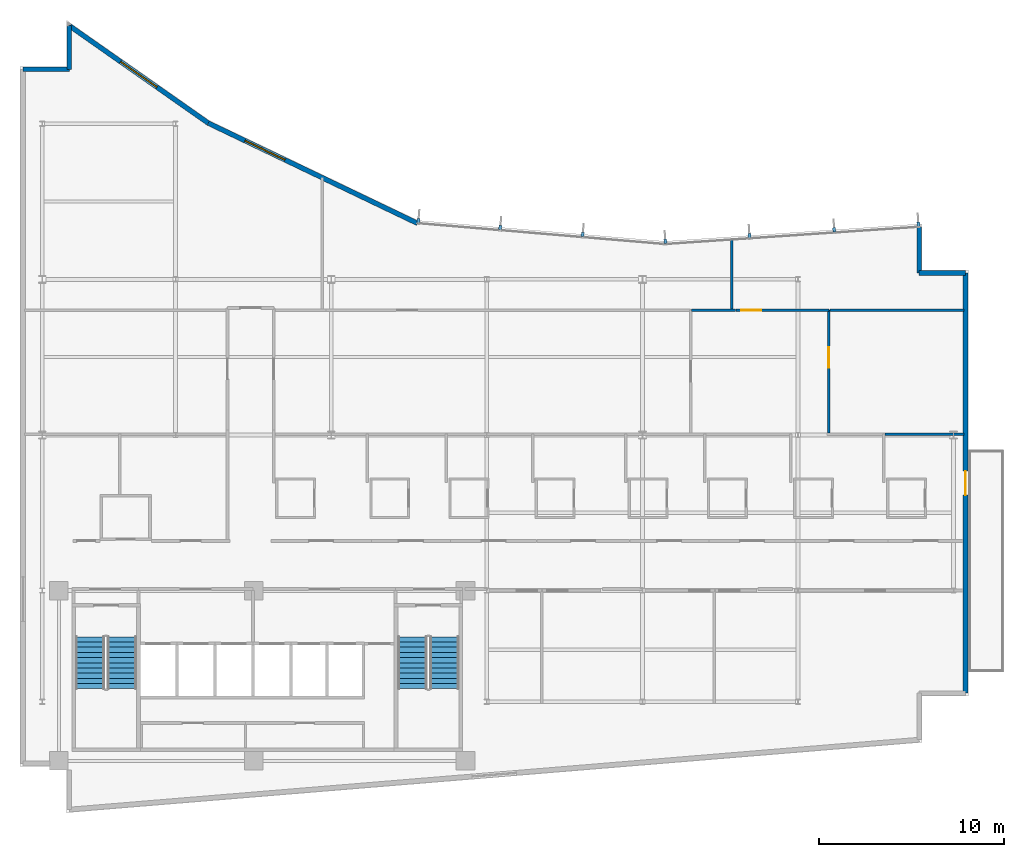
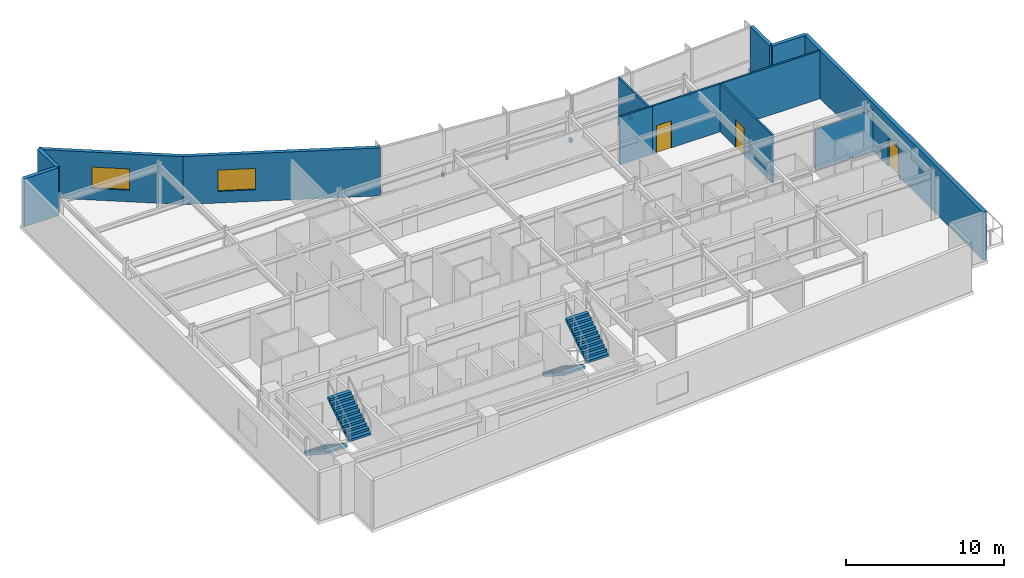
# One storey, part 12 of 15: 13 walls, 7 discrete accessories, 4 stair flights, 3 doors, 2 windows, 5 openings, 2 elements without a shape of their own.
"""IFC4 building model written with IfcOpenShell, lengths in metres."""

from ifc_helpers import new_model, si_unit, direction, frame, frame_2d, origin, origin_2d, place, context, subcontext, project, spatial, polyline, rectangle, outline, extrude, material, layer, layer_set, type_object, element, fill, aggregate, save


model = new_model("IFC4")

# Units and contexts
model_context = context("Model", 3, precision=1e-05, world=origin(), true_north=direction((0.0, 1.0)))
body_context = subcontext(model_context, "Body", "Model", "MODEL_VIEW")
ifc_project = project(units=[si_unit("LENGTHUNIT", "METRE"), si_unit("AREAUNIT", "SQUARE_METRE"), si_unit("VOLUMEUNIT", "CUBIC_METRE"), si_unit("PLANEANGLEUNIT", "RADIAN"), si_unit("MASSUNIT", "GRAM", prefix="KILO")], contexts=[model_context])

# Site, building, storey
site_placement = place(None, origin())
site = spatial("IfcSite", under=ifc_project, at=site_placement, CompositionType="ELEMENT")
building_placement = place(site_placement, origin())
building = spatial("IfcBuilding", under=site, at=building_placement, Name="Varnakote Quay Hospital", CompositionType="ELEMENT")
storey_placement = place(building_placement, frame((0.0, 0.0, 192.10009765625)))
storey = spatial("IfcBuildingStorey", under=building, at=storey_placement, Name="L47", CompositionType="ELEMENT", Elevation=192.10009765625)

# Wall, opening, door
ifc_material_1 = material(Name="Precast concrete N50 (f'c 50 MPa)", Category="concrete")
ifc_layer_1 = layer(ifc_material_1, 0.260009765625)
ifc_layer_set_1 = layer_set([ifc_layer_1], Name="Precast concrete N50 (f'c 50 MPa)")
wall_type_1 = type_object("IfcWallType", Name="WL-EXT-BRICK-260", PredefinedType="STANDARD", material=ifc_layer_set_1)
wall_1_placement = place(storey_placement, frame((51.0400390625, 6.4599609375, 0.0), z_axis=(0.0, 0.0, 1.0), x_axis=(0.0, 1.0, 0.0)))
wall_1 = element("IfcWall", 1, at=wall_1_placement, inside=storey, type_object=wall_type_1, Name="L47 Healing Terrace Portal Brick Wall", PredefinedType="STANDARD", context=body_context, shape_type="SweptSolid", body=[
    extrude(rectangle(XDim=22.679931640625, YDim=0.260009765625, at=frame_2d((11.33984375, 0.0))), origin(), (0.0, 0.0, 1.0), 3.7099609375),
])
opening_1_placement = place(wall_1_placement, frame((10.68994140625, 0.0, 0.0)))
opening_1 = element("IfcOpeningElement", 2, at=opening_1_placement, cuts=wall_1, Name="Opening DT-L47", PredefinedType="OPENING", context=body_context, shape_type="SweptSolid", body=[
    extrude(rectangle(XDim=1.300048828125, YDim=2.14990234375, at=frame_2d((0.64990234375, 1.074951171875))), frame((0.0, 0.139892578125, 0.0), z_axis=(0.0, -1.0, 0.0), x_axis=(1.0, 0.0, 0.0)), (0.0, 0.0, 1.0), 0.280029296875),
])
ifc_material_2 = material(Name="Anodised aluminium glazed terrace door", Category="aluminium")
door_type_1 = type_object("IfcDoorType", Name="DR-EXT-TERR-1300x2150", OperationType="NOTDEFINED", PredefinedType="DOOR", material=ifc_material_2)
door_1_placement = place(opening_1_placement, origin())
door_1 = element("IfcDoor", 3, at=door_1_placement, inside=storey, type_object=door_type_1, Name="L47 Waterfront Healing Terrace Door", OperationType="SINGLE_SWING_RIGHT", OverallHeight=2.14990234375, OverallWidth=1.300048828125, PredefinedType="DOOR", context=body_context, shape_type="SweptSolid", body=[
    extrude(rectangle(XDim=1.300048828125, YDim=2.14990234375, at=frame_2d((0.64990234375, 1.074951171875))), frame((0.0, 0.02490234375, 0.0), z_axis=(0.0, -1.0, 0.0), x_axis=(1.0, 0.0, 0.0)), (0.0, 0.0, 1.0), 0.050048828125),
])
fill(opening_1, door_1)

# Walls
wall_2_placement = place(storey_placement, frame((51.0400390625, 29.139892578125, 0.0), z_axis=(0.0, 0.0, 1.0), x_axis=(-1.0, 0.0, 0.0)))
element("IfcWall", 4, at=wall_2_placement, inside=storey, type_object=wall_type_1, Name="L47 Brick-Faced Precast Exterior Wall", PredefinedType="STANDARD", context=body_context, shape_type="SweptSolid", body=[
    extrude(rectangle(XDim=2.5, YDim=0.260009765625, at=frame_2d((1.25, 0.0))), origin(), (0.0, 0.0, 1.0), 3.7099609375),
])
wall_3_placement = place(storey_placement, frame((48.5400390625, 29.139892578125, 0.0), z_axis=(0.0, 0.0, 1.0), x_axis=(0.0, 1.0, 0.0)))
element("IfcWall", 5, at=wall_3_placement, inside=storey, type_object=wall_type_1, Name="L47 Brick-Faced Precast Exterior Wall", PredefinedType="STANDARD", context=body_context, shape_type="SweptSolid", body=[
    extrude(rectangle(XDim=2.489013671875, YDim=0.260009765625, at=frame_2d((1.24462890625, 0.0))), origin(), (0.0, 0.0, 1.0), 3.7099609375),
])

# Wall, opening, window
wall_4_placement = place(storey_placement, frame((21.461181640625, 31.822998046875, 0.0), z_axis=(0.0, 0.0, 1.0), x_axis=(-0.901858094827, 0.432032379336, 0.0)))
wall_4 = element("IfcWall", 6, at=wall_4_placement, inside=storey, type_object=wall_type_1, Name="L47 Brick-Faced Precast Exterior Wall", PredefinedType="STANDARD", context=body_context, shape_type="SweptSolid", body=[
    extrude(rectangle(XDim=12.5322265625, YDim=0.260009765625, at=frame_2d((6.26611328125, 0.0))), origin(), (0.0, 0.0, 1.0), 3.7099609375),
])
opening_2_placement = place(wall_4_placement, frame((7.93212890625, 0.0, 0.89990234375)))
opening_2 = element("IfcOpeningElement", 7, at=opening_2_placement, cuts=wall_4, Name="Opening WN-0195", PredefinedType="OPENING", context=body_context, shape_type="SweptSolid", body=[
    extrude(rectangle(XDim=2.39990234375, YDim=1.64990234375, at=frame_2d((1.199951171875, 0.824951171875))), frame((0.0, 0.139892578125, 0.0), z_axis=(0.0, -1.0, 0.0), x_axis=(1.0, 0.0, 0.0)), (0.0, 0.0, 1.0), 0.280029296875),
])
ifc_material_3 = material(Name="Double-glazed low-E solar glass", Category="glass")
window_type = type_object("IfcWindowType", Name="WIN-CLIN-2400x1650", PartitioningType="SINGLE_PANEL", PredefinedType="WINDOW", material=ifc_material_3)
window_1_placement = place(opening_2_placement, origin())
window_1 = element("IfcWindow", 8, at=window_1_placement, inside=storey, type_object=window_type, Name="L47 Solar-Control Clinical Window", OverallHeight=1.64990234375, OverallWidth=2.39990234375, PartitioningType="SINGLE_PANEL", PredefinedType="WINDOW", context=body_context, shape_type="SweptSolid", body=[
    extrude(rectangle(XDim=2.39990234375, YDim=1.64990234375, at=frame_2d((1.199951171875, 0.824951171875))), frame((0.0, 0.030029296875, 0.0), z_axis=(0.0, -1.0, 0.0), x_axis=(1.0, 0.0, 0.0)), (0.0, 0.0, 1.0), 0.06005859375),
])
fill(opening_2, window_1)

wall_5_placement = place(storey_placement, frame((10.158935546875, 37.2373046875, 0.0), z_axis=(0.0, 0.0, 1.0), x_axis=(-0.818933702389, 0.57388813465, 0.0)))
wall_5 = element("IfcWall", 9, at=wall_5_placement, inside=storey, type_object=wall_type_1, Name="L47 Brick-Faced Precast Exterior Wall", PredefinedType="STANDARD", context=body_context, shape_type="SweptSolid", body=[
    extrude(rectangle(XDim=9.156982421875, YDim=0.260009765625, at=frame_2d((4.57861328125, 0.0))), origin(), (0.0, 0.0, 1.0), 3.7099609375),
])
opening_3_placement = place(wall_5_placement, frame((3.37841796875, 0.0, 0.89990234375)))
opening_3 = element("IfcOpeningElement", 10, at=opening_3_placement, cuts=wall_5, Name="Opening WN-0196", PredefinedType="OPENING", context=body_context, shape_type="SweptSolid", body=[
    extrude(rectangle(XDim=2.39990234375, YDim=1.64990234375, at=frame_2d((1.199951171875, 0.824951171875))), frame((0.0, 0.139892578125, 0.0), z_axis=(0.0, -1.0, 0.0), x_axis=(1.0, 0.0, 0.0)), (0.0, 0.0, 1.0), 0.280029296875),
])
window_2_placement = place(opening_3_placement, origin())
window_2 = element("IfcWindow", 11, at=window_2_placement, inside=storey, type_object=window_type, Name="L47 Solar-Control Clinical Window", OverallHeight=1.64990234375, OverallWidth=2.39990234375, PartitioningType="SINGLE_PANEL", PredefinedType="WINDOW", context=body_context, shape_type="SweptSolid", body=[
    extrude(rectangle(XDim=2.39990234375, YDim=1.64990234375, at=frame_2d((1.199951171875, 0.824951171875))), frame((0.0, 0.030029296875, 0.0), z_axis=(0.0, -1.0, 0.0), x_axis=(1.0, 0.0, 0.0)), (0.0, 0.0, 1.0), 0.06005859375),
])
fill(opening_3, window_2)

# Walls
wall_6_placement = place(storey_placement, frame((2.659912109375, 42.492431640625, 0.0), z_axis=(0.0, 0.0, 1.0), x_axis=(0.0, -1.0, 0.0)))
element("IfcWall", 12, at=wall_6_placement, inside=storey, type_object=wall_type_1, Name="L47 Brick-Faced Precast Exterior Wall", PredefinedType="STANDARD", context=body_context, shape_type="SweptSolid", body=[
    extrude(rectangle(XDim=2.3525390625, YDim=0.260009765625, at=frame_2d((1.17626953125, 0.0))), origin(), (0.0, 0.0, 1.0), 3.7099609375),
])
wall_7_placement = place(storey_placement, frame((2.659912109375, 40.139892578125, 0.0), z_axis=(0.0, 0.0, 1.0), x_axis=(-1.0, 0.0, 0.0)))
element("IfcWall", 13, at=wall_7_placement, inside=storey, type_object=wall_type_1, Name="L47 Brick-Faced Precast Exterior Wall", PredefinedType="STANDARD", context=body_context, shape_type="SweptSolid", body=[
    extrude(rectangle(XDim=2.5, YDim=0.260009765625, at=frame_2d((1.25, 0.0))), origin(), (0.0, 0.0, 1.0), 3.7099609375),
])
ifc_material_4 = material(Name="Smoke-proof clinical partition", Category="gypsum")
ifc_layer_2 = layer(ifc_material_4, 0.135009765625)
ifc_layer_set_2 = layer_set([ifc_layer_2], Name="Smoke-proof clinical partition")
wall_type_2 = type_object("IfcWallType", Name="WL-SMOKE-135", PredefinedType="PARTITIONING", material=ifc_layer_set_2)
wall_8_placement = place(storey_placement, frame((50.9599609375, 20.43994140625, 0.0), z_axis=(0.0, 0.0, 1.0), x_axis=(-1.0, 0.0, 0.0)))
element("IfcWall", 14, at=wall_8_placement, inside=storey, type_object=wall_type_2, Name="L47 Clinical Interior Partition", PredefinedType="PARTITIONING", context=body_context, shape_type="SweptSolid", body=[
    extrude(rectangle(XDim=4.262451171875, YDim=0.135009765625, at=frame_2d((2.13134765625, 0.0))), origin(), (0.0, 0.0, 1.0), 3.15185546875),
])

# Wall, opening, door
wall_9_placement = place(storey_placement, frame((43.659912109375, 20.49755859375, 0.0), z_axis=(0.0, 0.0, 1.0), x_axis=(0.0, 1.0, 0.0)))
wall_9 = element("IfcWall", 15, at=wall_9_placement, inside=storey, type_object=wall_type_2, Name="L47 Clinical Interior Partition", PredefinedType="PARTITIONING", context=body_context, shape_type="SweptSolid", body=[
    extrude(rectangle(XDim=6.642333984375, YDim=0.135009765625, at=frame_2d((3.3212890625, 0.0))), origin(), (0.0, 0.0, 1.0), 3.7099609375),
])
opening_4_placement = place(wall_9_placement, frame((3.54248046875, 0.0, 0.0)))
opening_4 = element("IfcOpeningElement", 16, at=opening_4_placement, cuts=wall_9, Name="Opening D-L47-WPNT", PredefinedType="OPENING", context=body_context, shape_type="SweptSolid", body=[
    extrude(rectangle(XDim=1.10009765625, YDim=2.10009765625, at=frame_2d((0.550048828125, 1.050048828125))), frame((0.0, 0.077392578125, 0.0), z_axis=(0.0, -1.0, 0.0), x_axis=(1.0, 0.0, 0.0)), (0.0, 0.0, 1.0), 0.155029296875),
])
ifc_material_5 = material(Name="Acoustic timber clinical consult door", Category="wood")
door_type_2 = type_object("IfcDoorType", Name="DR-CLIN-FD30S-1100x2100", OperationType="NOTDEFINED", PredefinedType="DOOR", material=ifc_material_5)
door_2_placement = place(opening_4_placement, origin())
door_2 = element("IfcDoor", 17, at=door_2_placement, inside=storey, type_object=door_type_2, Name="L47 Ward Clinical Nutrition Pantry Door", OperationType="SINGLE_SWING_RIGHT", OverallHeight=2.10009765625, OverallWidth=1.10009765625, PredefinedType="DOOR", context=body_context, shape_type="SweptSolid", body=[
    extrude(rectangle(XDim=1.10009765625, YDim=2.10009765625, at=frame_2d((0.550048828125, 1.050048828125))), frame((0.0, 0.02490234375, 0.0), z_axis=(0.0, -1.0, 0.0), x_axis=(1.0, 0.0, 0.0)), (0.0, 0.0, 1.0), 0.050048828125),
])
fill(opening_4, door_2)

# Wall
wall_10_placement = place(storey_placement, frame((38.637451171875, 27.139892578125, 0.0), z_axis=(0.0, 0.0, 1.0), x_axis=(-1.0, 0.0, 0.0)))
element("IfcWall", 18, at=wall_10_placement, inside=storey, type_object=wall_type_2, Name="L47 Clinical Interior Partition", PredefinedType="PARTITIONING", context=body_context, shape_type="SweptSolid", body=[
    extrude(rectangle(XDim=2.3798828125, YDim=0.135009765625, at=frame_2d((1.18994140625, 0.0))), origin(), (0.0, 0.0, 1.0), 3.7099609375),
])

# Wall, opening, door
wall_11_placement = place(storey_placement, frame((43.659912109375, 27.139892578125, 0.0), z_axis=(0.0, 0.0, 1.0), x_axis=(-1.0, 0.0, 0.0)))
wall_11 = element("IfcWall", 19, at=wall_11_placement, inside=storey, type_object=wall_type_2, Name="L47 Clinical Interior Partition", PredefinedType="PARTITIONING", context=body_context, shape_type="SweptSolid", body=[
    extrude(rectangle(XDim=5.0205078125, YDim=0.135009765625, at=frame_2d((2.51025390625, 0.0))), origin(), (0.0, 0.0, 1.0), 3.7099609375),
])
opening_5_placement = place(wall_11_placement, frame((3.632568359375, 0.0, 0.0)))
opening_5 = element("IfcOpeningElement", 20, at=opening_5_placement, cuts=wall_11, Name="Opening D-L47-MD07", PredefinedType="OPENING", context=body_context, shape_type="SweptSolid", body=[
    extrude(rectangle(XDim=1.10009765625, YDim=2.10009765625, at=frame_2d((0.550048828125, 1.050048828125))), frame((0.0, 0.077392578125, 0.0), z_axis=(0.0, -1.0, 0.0), x_axis=(1.0, 0.0, 0.0)), (0.0, 0.0, 1.0), 0.155029296875),
])
door_3_placement = place(opening_5_placement, origin())
door_3 = element("IfcDoor", 21, at=door_3_placement, inside=storey, type_object=door_type_2, Name="L47 Heart Team Clinical Consultation Suite Door", OperationType="SINGLE_SWING_LEFT", OverallHeight=2.10009765625, OverallWidth=1.10009765625, PredefinedType="DOOR", context=body_context, shape_type="SweptSolid", body=[
    extrude(rectangle(XDim=1.10009765625, YDim=2.10009765625, at=frame_2d((0.550048828125, 1.050048828125))), frame((0.0, 0.02490234375, 0.0), z_axis=(0.0, -1.0, 0.0), x_axis=(1.0, 0.0, 0.0)), (0.0, 0.0, 1.0), 0.050048828125),
])
fill(opening_5, door_3)

# Walls
wall_12_placement = place(storey_placement, frame((50.9599609375, 27.139892578125, 0.0), z_axis=(0.0, 0.0, 1.0), x_axis=(-1.0, 0.0, 0.0)))
element("IfcWall", 22, at=wall_12_placement, inside=storey, type_object=wall_type_2, Name="L47 Clinical Interior Partition", PredefinedType="PARTITIONING", context=body_context, shape_type="SweptSolid", body=[
    extrude(rectangle(XDim=7.242431640625, YDim=0.135009765625, at=frame_2d((3.62109375, 0.0))), origin(), (0.0, 0.0, 1.0), 3.7099609375),
])
wall_13_placement = place(storey_placement, frame((38.429931640625, 27.197509765625, 0.0), z_axis=(0.0, 0.0, 1.0), x_axis=(0.0, 1.0, 0.0)))
element("IfcWall", 23, at=wall_13_placement, inside=storey, type_object=wall_type_2, Name="L47 Clinical Interior Partition", PredefinedType="PARTITIONING", context=body_context, shape_type="SweptSolid", body=[
    extrude(rectangle(XDim=3.743896484375, YDim=0.135009765625, at=frame_2d((1.8720703125, 0.0))), origin(), (0.0, 0.0, 1.0), 3.7099609375),
])

# Stair, stair flights
ifc_material_6 = material(Name="Concrete N40 (f'c 40 MPa)", Category="concrete")
stair_type = type_object("IfcStairType", Name="STR-CORE-1580", PredefinedType="HALF_TURN_STAIR", material=ifc_material_6)
stair_1_placement = place(storey_placement, origin())
stair_1 = element("IfcStair", 24, at=stair_1_placement, inside=storey, type_object=stair_type, Name="L47 Fire-Isolated Exit Stair ST-01", PredefinedType="HALF_TURN_STAIR")
ifc_material_7 = material(Name="Concrete N40 (f'c 40 MPa)", Category="concrete")
ifc_layer_3 = layer(ifc_material_7, 0.159912109375)
ifc_layer_set_3 = layer_set([ifc_layer_3], Name="Concrete N40 (f'c 40 MPa)")
stair_flight_type = type_object("IfcStairFlightType", Name="FLT-CORE-1580", PredefinedType="STRAIGHT", material=ifc_layer_set_3)
stair_flight_1_placement = place(storey_placement, frame((3.7900390625, 9.5, 0.0), z_axis=(0.0, 0.0, 1.0), x_axis=(0.0, -1.0, 0.0)))
stair_flight_1 = element("IfcStairFlight", 25, at=stair_flight_1_placement, type_object=stair_flight_type, Name="ST-01 flight 1", NumberOfRisers=11, NumberOfTreads=10, PredefinedType="STRAIGHT", RiserHeight=0.179545455, TreadLength=0.28, context=body_context, shape_type="SweptSolid", body=[
    extrude(outline(polyline([(0.0, 0.0), (0.0, 0.179443359375), (0.280029296875, 0.179443359375), (0.280029296875, 0.359130859375), (0.56005859375, 0.359130859375), (0.56005859375, 0.53857421875), (0.840087890625, 0.53857421875), (0.840087890625, 0.71826171875), (1.1201171875, 0.71826171875), (1.1201171875, 0.897705078125), (1.39990234375, 0.897705078125), (1.39990234375, 1.077392578125), (1.679931640625, 1.077392578125), (1.679931640625, 1.2568359375), (1.9599609375, 1.2568359375), (1.9599609375, 1.436279296875), (2.239990234375, 1.436279296875), (2.239990234375, 1.615966796875), (2.52001953125, 1.615966796875), (2.52001953125, 1.79541015625), (2.800048828125, 1.79541015625), (2.800048828125, 1.97509765625), (2.800048828125, 1.60546875), (0.296142578125, 0.0), (0.0, 0.0)])), frame((0.0, 0.7900390625, 0.0), z_axis=(0.0, -1.0, 0.0), x_axis=(1.0, 0.0, 0.0)), (0.0, 0.0, 1.0), 1.580078125),
])
stair_flight_2_placement = place(storey_placement, frame((5.510009765625, 6.699951171875, 1.974853515625), z_axis=(0.0, 0.0, 1.0), x_axis=(0.0, 1.0, 0.0)))
stair_flight_2 = element("IfcStairFlight", 26, at=stair_flight_2_placement, type_object=stair_flight_type, Name="ST-01 flight 2", NumberOfRisers=11, NumberOfTreads=10, PredefinedType="STRAIGHT", RiserHeight=0.179545455, TreadLength=0.28, context=body_context, shape_type="SweptSolid", body=[
    extrude(outline(polyline([(0.0, 0.0), (0.0, 0.179443359375), (0.280029296875, 0.179443359375), (0.280029296875, 0.359130859375), (0.56005859375, 0.359130859375), (0.56005859375, 0.53857421875), (0.840087890625, 0.53857421875), (0.840087890625, 0.71826171875), (1.1201171875, 0.71826171875), (1.1201171875, 0.897705078125), (1.39990234375, 0.897705078125), (1.39990234375, 1.077392578125), (1.679931640625, 1.077392578125), (1.679931640625, 1.2568359375), (1.9599609375, 1.2568359375), (1.9599609375, 1.436279296875), (2.239990234375, 1.436279296875), (2.239990234375, 1.615966796875), (2.52001953125, 1.615966796875), (2.52001953125, 1.79541015625), (2.800048828125, 1.79541015625), (2.800048828125, 1.97509765625), (2.800048828125, 1.60546875), (0.296142578125, 0.0), (0.0, 0.0)])), frame((0.0, 0.7900390625, 0.0), z_axis=(0.0, -1.0, 0.0), x_axis=(1.0, 0.0, 0.0)), (0.0, 0.0, 1.0), 1.580078125),
])
aggregate(stair_1, [stair_flight_1, stair_flight_2])

stair_2_placement = place(storey_placement, origin())
stair_2 = element("IfcStair", 27, at=stair_2_placement, inside=storey, type_object=stair_type, Name="L47 Fire-Isolated Exit Stair ST-02", PredefinedType="HALF_TURN_STAIR")
stair_flight_3_placement = place(storey_placement, frame((21.18994140625, 9.5, 0.0), z_axis=(0.0, 0.0, 1.0), x_axis=(0.0, -1.0, 0.0)))
stair_flight_3 = element("IfcStairFlight", 28, at=stair_flight_3_placement, type_object=stair_flight_type, Name="ST-02 flight 1", NumberOfRisers=11, NumberOfTreads=10, PredefinedType="STRAIGHT", RiserHeight=0.179545455, TreadLength=0.28, context=body_context, shape_type="SweptSolid", body=[
    extrude(outline(polyline([(0.0, 0.0), (0.0, 0.179443359375), (0.280029296875, 0.179443359375), (0.280029296875, 0.359130859375), (0.56005859375, 0.359130859375), (0.56005859375, 0.53857421875), (0.840087890625, 0.53857421875), (0.840087890625, 0.71826171875), (1.1201171875, 0.71826171875), (1.1201171875, 0.897705078125), (1.39990234375, 0.897705078125), (1.39990234375, 1.077392578125), (1.679931640625, 1.077392578125), (1.679931640625, 1.2568359375), (1.9599609375, 1.2568359375), (1.9599609375, 1.436279296875), (2.239990234375, 1.436279296875), (2.239990234375, 1.615966796875), (2.52001953125, 1.615966796875), (2.52001953125, 1.79541015625), (2.800048828125, 1.79541015625), (2.800048828125, 1.97509765625), (2.800048828125, 1.60546875), (0.296142578125, 0.0), (0.0, 0.0)])), frame((0.0, 0.7900390625, 0.0), z_axis=(0.0, -1.0, 0.0), x_axis=(1.0, 0.0, 0.0)), (0.0, 0.0, 1.0), 1.580078125),
])
stair_flight_4_placement = place(storey_placement, frame((22.909912109375, 6.699951171875, 1.974853515625), z_axis=(0.0, 0.0, 1.0), x_axis=(0.0, 1.0, 0.0)))
stair_flight_4 = element("IfcStairFlight", 29, at=stair_flight_4_placement, type_object=stair_flight_type, Name="ST-02 flight 2", NumberOfRisers=11, NumberOfTreads=10, PredefinedType="STRAIGHT", RiserHeight=0.179545455, TreadLength=0.28, context=body_context, shape_type="SweptSolid", body=[
    extrude(outline(polyline([(0.0, 0.0), (0.0, 0.179443359375), (0.280029296875, 0.179443359375), (0.280029296875, 0.359130859375), (0.56005859375, 0.359130859375), (0.56005859375, 0.53857421875), (0.840087890625, 0.53857421875), (0.840087890625, 0.71826171875), (1.1201171875, 0.71826171875), (1.1201171875, 0.897705078125), (1.39990234375, 0.897705078125), (1.39990234375, 1.077392578125), (1.679931640625, 1.077392578125), (1.679931640625, 1.2568359375), (1.9599609375, 1.2568359375), (1.9599609375, 1.436279296875), (2.239990234375, 1.436279296875), (2.239990234375, 1.615966796875), (2.52001953125, 1.615966796875), (2.52001953125, 1.79541015625), (2.800048828125, 1.79541015625), (2.800048828125, 1.97509765625), (2.800048828125, 1.60546875), (0.296142578125, 0.0), (0.0, 0.0)])), frame((0.0, 0.7900390625, 0.0), z_axis=(0.0, -1.0, 0.0), x_axis=(1.0, 0.0, 0.0)), (0.0, 0.0, 1.0), 1.580078125),
])
aggregate(stair_2, [stair_flight_3, stair_flight_4])

# Discrete accessories
ifc_material_8 = material(Name="Anodised aluminium 6063-T6 Bronze", Category="aluminium")
discrete_accessory_type = type_object("IfcDiscreteAccessoryType", Name="ACC-FIN-BRACKET-180", PredefinedType="BRACKET", material=ifc_material_8)
for number, where, z_axis, x_axis, name in (
    (30, (48.497314453125, 31.776123046875, 0.0), (0.0, 0.0, 1.0), (-0.997696134548, -0.067841160875, 0.0), "L47 Curtain Wall Fin Fixing Bracket"),
    (31, (43.95458984375, 31.46728515625, 0.0), (0.0, 0.0, 1.0), (-0.997696134548, -0.067841160875, 0.0), "L47 Curtain Wall Fin Fixing Bracket"),
    (32, (39.379638671875, 31.15625, 0.0), (0.0, 0.0, 1.0), (-0.997696134548, -0.067841160875, 0.0), "L47 Curtain Wall Fin Fixing Bracket"),
    (33, (34.8369140625, 30.847412109375, 0.0), (0.0, 0.0, 1.0), (-0.997696134548, -0.067841160875, 0.0), "L47 Curtain Wall Fin Fixing Bracket"),
    (34, (30.376220703125, 31.220703125, 0.0), (0.0, 0.0, 1.0), (-0.996448909038, 0.084199594279, 0.0), "L47 Curtain Wall Fin Fixing Bracket"),
    (35, (25.925048828125, 31.5966796875, 0.0), (0.0, 0.0, 1.0), (-0.996448909038, 0.084199594279, 0.0), "L47 Curtain Wall Fin Fixing Bracket"),
    (36, (21.50634765625, 31.9697265625, 0.0), (0.0, 0.0, 1.0), (-0.996448909038, 0.084199594279, 0.0), "L47 Curtain Wall Fin Fixing Bracket"),
):
    element("IfcDiscreteAccessory", number, at=place(storey_placement, frame(where, z_axis=z_axis, x_axis=x_axis)), inside=storey, type_object=discrete_accessory_type, Name=name, PredefinedType="BRACKET", context=body_context, shape_type="SweptSolid", body=[
        extrude(rectangle(XDim=0.159912109375, YDim=0.239990234375, at=origin_2d()), origin(), (0.0, 0.0, 1.0), 0.280029296875),
    ])

save(model, "model.ifc")
